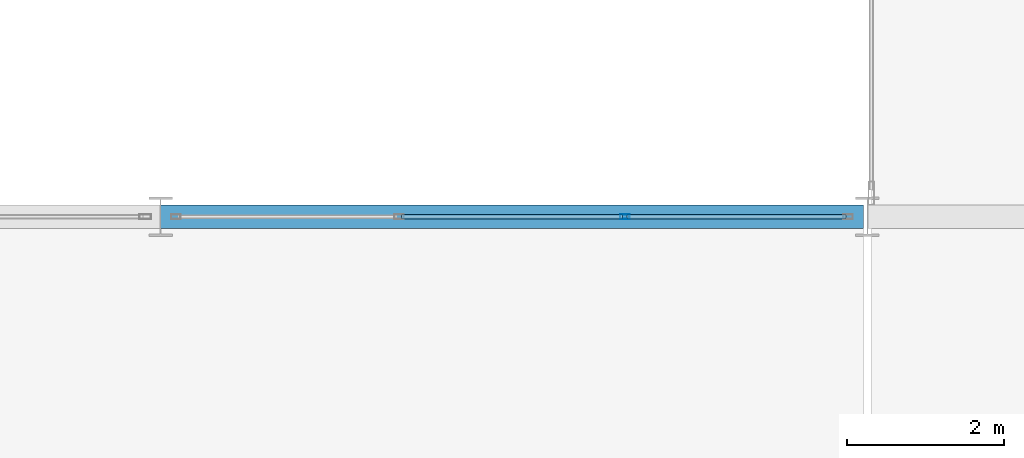
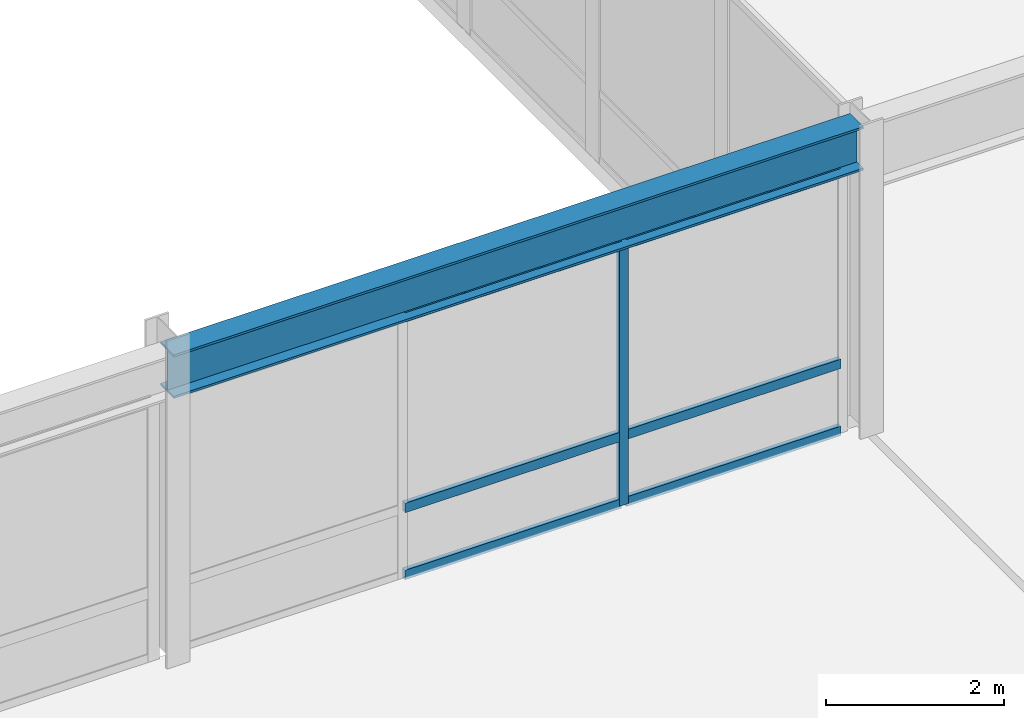
# One storey, part 39 of 115: 7 members, 1 beam, 1 element without a shape of its own.
"""IFC4 building model written with IfcOpenShell, lengths in metres."""

from ifc_helpers import new_model, si_unit, direction, frame, origin, origin_2d, place, context, subcontext, project, spatial, hollow_rectangle, i_section, extrude, material, layer, layer_set, material_profile, profile_set, type_object, element, aggregate, save


model = new_model("IFC4")

# Units and contexts
model_context = context("Model", 3, precision=1e-05, world=origin(), true_north=direction((0.0, 1.0)))
body_context = subcontext(model_context, "Body", "Model", "MODEL_VIEW")
ifc_project = project(units=[si_unit("LENGTHUNIT", "METRE"), si_unit("AREAUNIT", "SQUARE_METRE"), si_unit("VOLUMEUNIT", "CUBIC_METRE"), si_unit("PLANEANGLEUNIT", "RADIAN"), si_unit("MASSUNIT", "GRAM", prefix="KILO")], contexts=[model_context])

# Site, building, storey
site_placement = place(None, origin())
site = spatial("IfcSite", under=ifc_project, at=site_placement, CompositionType="ELEMENT")
building_placement = place(site_placement, origin())
building = spatial("IfcBuilding", under=site, at=building_placement, Name="Montelvaro Courts of Justice", CompositionType="ELEMENT")
storey_placement = place(building_placement, frame((0.0, 0.0, 9.89990234375)))
storey = spatial("IfcBuildingStorey", under=building, at=storey_placement, Name="L02", CompositionType="ELEMENT", Elevation=9.89990234375)

# Beam
ifc_material_1 = material(Name="Steel S355", Category="steel")
ifc_material_profile_1 = material_profile(ifc_material_1, i_section(OverallWidth=0.300048828125, OverallDepth=0.60009765625, WebThickness=0.015380859375, FlangeThickness=0.030029296875, at=origin_2d()), Name="HEB 600")
ifc_profile_set_1 = profile_set([ifc_material_profile_1], Name="Steel S355")
beam_type = type_object("IfcBeamType", Name="Beam_HEB600", PredefinedType="USERDEFINED", material=ifc_profile_set_1)
beam_placement = place(storey_placement, frame((90.0, 42.0, 3.900146484375), z_axis=(1.0, 0.0, 0.0), x_axis=(0.0, 1.0, 0.0)))
element("IfcBeam", 1, at=beam_placement, inside=storey, type_object=beam_type, Name="V4 Roof Eave Girder", ObjectType="GIRDER", PredefinedType="USERDEFINED", context=body_context, shape_type="SweptSolid", body=[
    extrude(i_section(OverallWidth=0.300048828125, OverallDepth=0.60009765625, WebThickness=0.015380859375, FlangeThickness=0.030029296875, at=origin_2d()), origin(), (0.0, 0.0, 1.0), 8.949951171875),
])

# Curtain wall, members
ifc_material_2 = material(Name="Anodised aluminium EN AW-6063", Category="aluminium")
ifc_layer = layer(ifc_material_2, 0.159912109375)
ifc_layer_set = layer_set([ifc_layer], Name="Anodised aluminium EN AW-6063")
curtain_wall_type = type_object("IfcCurtainWallType", Name="CurtainWall_17_861x418", PredefinedType="USERDEFINED", material=ifc_layer_set)
curtain_wall_placement = place(storey_placement, origin())
curtain_wall = element("IfcCurtainWall", 2, at=curtain_wall_placement, inside=storey, type_object=curtain_wall_type, Name="Curtain Wall CW-17 (L02)", ObjectType="CURTAIN WALL", PredefinedType="USERDEFINED")
ifc_material_profile_2 = material_profile(ifc_material_2, hollow_rectangle(XDim=0.06005859375, YDim=0.1201171875, WallThickness=0.00341796875, at=origin_2d()), Name="ALU-M 60x120")
ifc_profile_set_2 = profile_set([ifc_material_profile_2], Name="Anodised aluminium EN AW-6063")
member_type_1 = type_object("IfcMemberType", Name="CurtainWall_Mullion_60x120", PredefinedType="MULLION", material=ifc_profile_set_2)
member_1_placement = place(storey_placement, frame((95.91162109375, 42.0, 0.0), z_axis=(0.0, 0.0, 1.0), x_axis=(0.0, -1.0, 0.0)))
member_1 = element("IfcMember", 3, at=member_1_placement, type_object=member_type_1, Name="CW-17 mullion 2", PredefinedType="MULLION", context=body_context, shape_type="SweptSolid", body=[
    extrude(hollow_rectangle(XDim=0.06005859375, YDim=0.1201171875, WallThickness=0.00341796875, at=origin_2d()), origin(), (0.0, 0.0, 1.0), 3.59521484375),
])
ifc_material_profile_3 = material_profile(ifc_material_2, hollow_rectangle(XDim=0.06005859375, YDim=0.1298828125, WallThickness=0.00390625, at=origin_2d()), Name="ALU-T 60x130")
ifc_profile_set_3 = profile_set([ifc_material_profile_3], Name="Anodised aluminium EN AW-6063")
member_type_2 = type_object("IfcMemberType", Name="CurtainWall_Transom_60x130", PredefinedType="USERDEFINED", material=ifc_profile_set_3)
member_2_placement = place(storey_placement, frame((98.72509765625, 42.0, 0.030029296875), z_axis=(-1.0, 0.0, 0.0), x_axis=(0.0, -1.0, 0.0)))
member_2 = element("IfcMember", 4, at=member_2_placement, type_object=member_type_2, Name="CW-17 transom 1.1", ObjectType="TRANSOM", PredefinedType="USERDEFINED", context=body_context, shape_type="SweptSolid", body=[
    extrude(hollow_rectangle(XDim=0.06005859375, YDim=0.1298828125, WallThickness=0.00390625, at=origin_2d()), origin(), (0.0, 0.0, 1.0), 2.783447265625),
])
member_3_placement = place(storey_placement, frame((98.72509765625, 42.0, 0.9501953125), z_axis=(-1.0, 0.0, 0.0), x_axis=(0.0, -1.0, 0.0)))
member_3 = element("IfcMember", 5, at=member_3_placement, type_object=member_type_2, Name="CW-17 transom 1.2", ObjectType="TRANSOM", PredefinedType="USERDEFINED", context=body_context, shape_type="SweptSolid", body=[
    extrude(hollow_rectangle(XDim=0.06005859375, YDim=0.1298828125, WallThickness=0.00390625, at=origin_2d()), origin(), (0.0, 0.0, 1.0), 2.783447265625),
])
member_4_placement = place(storey_placement, frame((98.72509765625, 42.0, 3.565185546875), z_axis=(-1.0, 0.0, 0.0), x_axis=(0.0, -1.0, 0.0)))
member_4 = element("IfcMember", 6, at=member_4_placement, type_object=member_type_2, Name="CW-17 transom 1.3", ObjectType="TRANSOM", PredefinedType="USERDEFINED", context=body_context, shape_type="SweptSolid", body=[
    extrude(hollow_rectangle(XDim=0.06005859375, YDim=0.1298828125, WallThickness=0.00390625, at=origin_2d()), origin(), (0.0, 0.0, 1.0), 2.783447265625),
])
member_5_placement = place(storey_placement, frame((95.881591796875, 42.0, 0.030029296875), z_axis=(-1.0, 0.0, 0.0), x_axis=(0.0, -1.0, 0.0)))
member_5 = element("IfcMember", 7, at=member_5_placement, type_object=member_type_2, Name="CW-17 transom 2.1", ObjectType="TRANSOM", PredefinedType="USERDEFINED", context=body_context, shape_type="SweptSolid", body=[
    extrude(hollow_rectangle(XDim=0.06005859375, YDim=0.1298828125, WallThickness=0.00390625, at=origin_2d()), origin(), (0.0, 0.0, 1.0), 2.813232421875),
])
member_6_placement = place(storey_placement, frame((95.881591796875, 42.0, 0.9501953125), z_axis=(-1.0, 0.0, 0.0), x_axis=(0.0, -1.0, 0.0)))
member_6 = element("IfcMember", 8, at=member_6_placement, type_object=member_type_2, Name="CW-17 transom 2.2", ObjectType="TRANSOM", PredefinedType="USERDEFINED", context=body_context, shape_type="SweptSolid", body=[
    extrude(hollow_rectangle(XDim=0.06005859375, YDim=0.1298828125, WallThickness=0.00390625, at=origin_2d()), origin(), (0.0, 0.0, 1.0), 2.813232421875),
])
member_7_placement = place(storey_placement, frame((95.881591796875, 42.0, 3.565185546875), z_axis=(-1.0, 0.0, 0.0), x_axis=(0.0, -1.0, 0.0)))
member_7 = element("IfcMember", 9, at=member_7_placement, type_object=member_type_2, Name="CW-17 transom 2.3", ObjectType="TRANSOM", PredefinedType="USERDEFINED", context=body_context, shape_type="SweptSolid", body=[
    extrude(hollow_rectangle(XDim=0.06005859375, YDim=0.1298828125, WallThickness=0.00390625, at=origin_2d()), origin(), (0.0, 0.0, 1.0), 2.813232421875),
])
aggregate(curtain_wall, [member_1, member_2, member_3, member_4, member_5, member_6, member_7])

save(model, "model.ifc")
